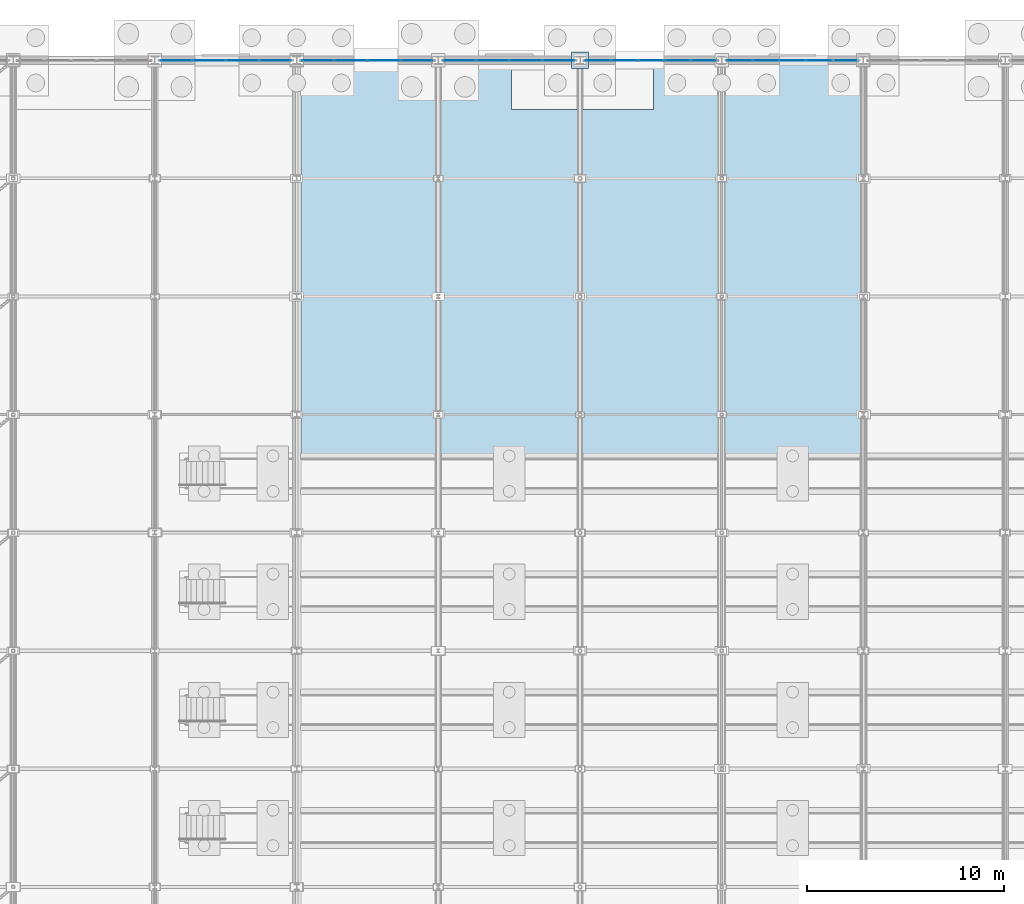
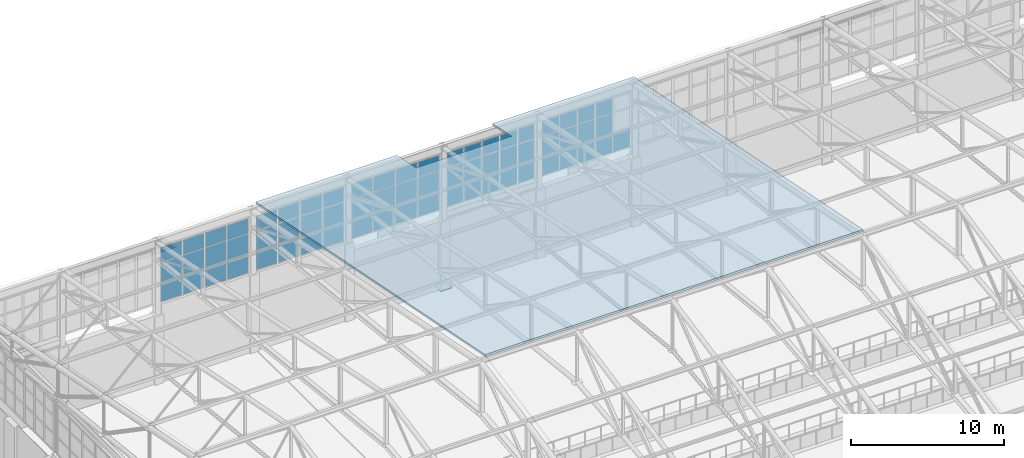
# One storey, part 250 of 293: 65 plates, 1 slab, 5 elements without a shape of their own.
"""IFC4 building model written with IfcOpenShell, lengths in metres."""

from ifc_helpers import new_model, si_unit, direction, frame, origin, origin_2d, place, context, subcontext, project, spatial, polyline, rectangle, outline, extrude, material, layer, layer_set, type_object, element, aggregate, save


model = new_model("IFC4")

# Units and contexts
model_context = context("Model", 3, precision=1e-05, world=origin(), true_north=direction((0.0, 1.0)))
body_context = subcontext(model_context, "Body", "Model", "MODEL_VIEW")
ifc_project = project(units=[si_unit("LENGTHUNIT", "METRE"), si_unit("AREAUNIT", "SQUARE_METRE"), si_unit("VOLUMEUNIT", "CUBIC_METRE"), si_unit("PLANEANGLEUNIT", "RADIAN"), si_unit("MASSUNIT", "GRAM", prefix="KILO")], contexts=[model_context])

# Site, building, storey
site_placement = place(None, origin())
site = spatial("IfcSite", under=ifc_project, at=site_placement, CompositionType="ELEMENT")
building_placement = place(site_placement, origin())
building = spatial("IfcBuilding", under=site, at=building_placement, Name="Kemerveld Promenade Tramway Depot", CompositionType="ELEMENT")
storey_placement = place(building_placement, origin())
storey = spatial("IfcBuildingStorey", under=building, at=storey_placement, Name="L00", CompositionType="ELEMENT", Elevation=0.0)

# Curtain wall, plates
ifc_material_1 = material(Name="Bronze anodised aluminium and solar glass", Category="aluminium")
ifc_layer_1 = layer(ifc_material_1, 0.159912109375)
ifc_layer_set_1 = layer_set([ifc_layer_1], Name="CW-SYS-03")
curtain_wall_type_1 = type_object("IfcCurtainWallType", Name="CW-SYS-03", PredefinedType="USERDEFINED", material=ifc_layer_set_1)
curtain_wall_1_placement = place(storey_placement, origin())
curtain_wall_1 = element("IfcCurtainWall", 1, at=curtain_wall_1_placement, inside=storey, type_object=curtain_wall_type_1, Name="CW-V1-N-03", ObjectType="GLAZED_CURTAIN_WALL", PredefinedType="USERDEFINED")
ifc_material_2 = material(Name="Solar-control laminated double glazing", Category="glass")
ifc_layer_2 = layer(ifc_material_2, 0.028076171875)
ifc_layer_set_2 = layer_set([ifc_layer_2], Name="CW-PNL-03")
plate_type_1 = type_object("IfcPlateType", Name="CW-PNL-03", PredefinedType="CURTAIN_PANEL", material=ifc_layer_set_2)
plate_1_placement = place(storey_placement, frame((51.483642578125, 144.0, 6.259765625), z_axis=(0.0, 0.0, 1.0), x_axis=(1.0, 0.0, 0.0)))
plate_1 = element("IfcPlate", 2, at=plate_1_placement, type_object=plate_type_1, Name="CW03 panel 1.1", PredefinedType="CURTAIN_PANEL", context=body_context, shape_type="SweptSolid", body=[
    extrude(rectangle(XDim=1.5908203125, YDim=0.028076171875, at=origin_2d()), origin(), (0.0, 0.0, 1.0), 1.468017578125),
])
plate_2_placement = place(storey_placement, frame((51.483642578125, 144.0, 7.7880859375), z_axis=(0.0, 0.0, 1.0), x_axis=(1.0, 0.0, 0.0)))
plate_2 = element("IfcPlate", 3, at=plate_2_placement, type_object=plate_type_1, Name="CW03 panel 1.2", PredefinedType="CURTAIN_PANEL", context=body_context, shape_type="SweptSolid", body=[
    extrude(rectangle(XDim=1.5908203125, YDim=0.028076171875, at=origin_2d()), origin(), (0.0, 0.0, 1.0), 1.5859375),
])
plate_3_placement = place(storey_placement, frame((51.483642578125, 144.0, 9.43408203125), z_axis=(0.0, 0.0, 1.0), x_axis=(1.0, 0.0, 0.0)))
plate_3 = element("IfcPlate", 4, at=plate_3_placement, type_object=plate_type_1, Name="CW03 panel 1.3", PredefinedType="CURTAIN_PANEL", context=body_context, shape_type="SweptSolid", body=[
    extrude(rectangle(XDim=1.5908203125, YDim=0.028076171875, at=origin_2d()), origin(), (0.0, 0.0, 1.0), 1.156005859375),
])
plate_4_placement = place(storey_placement, frame((53.15576171875, 144.0, 6.259765625), z_axis=(0.0, 0.0, 1.0), x_axis=(1.0, 0.0, 0.0)))
plate_4 = element("IfcPlate", 5, at=plate_4_placement, type_object=plate_type_1, Name="CW03 panel 2.1", PredefinedType="CURTAIN_PANEL", context=body_context, shape_type="SweptSolid", body=[
    extrude(rectangle(XDim=1.623291015625, YDim=0.028076171875, at=origin_2d()), origin(), (0.0, 0.0, 1.0), 1.468017578125),
])
plate_5_placement = place(storey_placement, frame((53.15576171875, 144.0, 7.7880859375), z_axis=(0.0, 0.0, 1.0), x_axis=(1.0, 0.0, 0.0)))
plate_5 = element("IfcPlate", 6, at=plate_5_placement, type_object=plate_type_1, Name="CW03 panel 2.2", PredefinedType="CURTAIN_PANEL", context=body_context, shape_type="SweptSolid", body=[
    extrude(rectangle(XDim=1.623291015625, YDim=0.028076171875, at=origin_2d()), origin(), (0.0, 0.0, 1.0), 1.5859375),
])
plate_6_placement = place(storey_placement, frame((53.15576171875, 144.0, 9.43408203125), z_axis=(0.0, 0.0, 1.0), x_axis=(1.0, 0.0, 0.0)))
plate_6 = element("IfcPlate", 7, at=plate_6_placement, type_object=plate_type_1, Name="CW03 panel 2.3", PredefinedType="CURTAIN_PANEL", context=body_context, shape_type="SweptSolid", body=[
    extrude(rectangle(XDim=1.623291015625, YDim=0.028076171875, at=origin_2d()), origin(), (0.0, 0.0, 1.0), 1.156005859375),
])
plate_7_placement = place(storey_placement, frame((54.84423828125, 144.0, 6.259765625), z_axis=(0.0, 0.0, 1.0), x_axis=(1.0, 0.0, 0.0)))
plate_7 = element("IfcPlate", 8, at=plate_7_placement, type_object=plate_type_1, Name="CW03 panel 3.1", PredefinedType="CURTAIN_PANEL", context=body_context, shape_type="SweptSolid", body=[
    extrude(rectangle(XDim=1.623291015625, YDim=0.028076171875, at=origin_2d()), origin(), (0.0, 0.0, 1.0), 1.468017578125),
])
plate_8_placement = place(storey_placement, frame((54.84423828125, 144.0, 7.7880859375), z_axis=(0.0, 0.0, 1.0), x_axis=(1.0, 0.0, 0.0)))
plate_8 = element("IfcPlate", 9, at=plate_8_placement, type_object=plate_type_1, Name="CW03 panel 3.2", PredefinedType="CURTAIN_PANEL", context=body_context, shape_type="SweptSolid", body=[
    extrude(rectangle(XDim=1.623291015625, YDim=0.028076171875, at=origin_2d()), origin(), (0.0, 0.0, 1.0), 1.5859375),
])
plate_9_placement = place(storey_placement, frame((54.84423828125, 144.0, 9.43408203125), z_axis=(0.0, 0.0, 1.0), x_axis=(1.0, 0.0, 0.0)))
plate_9 = element("IfcPlate", 10, at=plate_9_placement, type_object=plate_type_1, Name="CW03 panel 3.3", PredefinedType="CURTAIN_PANEL", context=body_context, shape_type="SweptSolid", body=[
    extrude(rectangle(XDim=1.623291015625, YDim=0.028076171875, at=origin_2d()), origin(), (0.0, 0.0, 1.0), 1.156005859375),
])
plate_10_placement = place(storey_placement, frame((56.516357421875, 144.0, 6.259765625), z_axis=(0.0, 0.0, 1.0), x_axis=(1.0, 0.0, 0.0)))
plate_10 = element("IfcPlate", 11, at=plate_10_placement, type_object=plate_type_1, Name="CW03 panel 4.1", PredefinedType="CURTAIN_PANEL", context=body_context, shape_type="SweptSolid", body=[
    extrude(rectangle(XDim=1.5908203125, YDim=0.028076171875, at=origin_2d()), origin(), (0.0, 0.0, 1.0), 1.468017578125),
])
plate_11_placement = place(storey_placement, frame((56.516357421875, 144.0, 7.7880859375), z_axis=(0.0, 0.0, 1.0), x_axis=(1.0, 0.0, 0.0)))
plate_11 = element("IfcPlate", 12, at=plate_11_placement, type_object=plate_type_1, Name="CW03 panel 4.2", PredefinedType="CURTAIN_PANEL", context=body_context, shape_type="SweptSolid", body=[
    extrude(rectangle(XDim=1.5908203125, YDim=0.028076171875, at=origin_2d()), origin(), (0.0, 0.0, 1.0), 1.5859375),
])
plate_12_placement = place(storey_placement, frame((56.516357421875, 144.0, 9.43408203125), z_axis=(0.0, 0.0, 1.0), x_axis=(1.0, 0.0, 0.0)))
plate_12 = element("IfcPlate", 13, at=plate_12_placement, type_object=plate_type_1, Name="CW03 panel 4.3", PredefinedType="CURTAIN_PANEL", context=body_context, shape_type="SweptSolid", body=[
    extrude(rectangle(XDim=1.5908203125, YDim=0.028076171875, at=origin_2d()), origin(), (0.0, 0.0, 1.0), 1.156005859375),
])
aggregate(curtain_wall_1, [plate_1, plate_2, plate_3, plate_4, plate_5, plate_6, plate_7, plate_8, plate_9, plate_10, plate_11, plate_12])

ifc_layer_3 = layer(ifc_material_1, 0.199951171875)
ifc_layer_set_3 = layer_set([ifc_layer_3], Name="CW-SYS-04")
curtain_wall_type_2 = type_object("IfcCurtainWallType", Name="CW-SYS-04", PredefinedType="USERDEFINED", material=ifc_layer_set_3)
curtain_wall_2_placement = place(storey_placement, origin())
curtain_wall_2 = element("IfcCurtainWall", 14, at=curtain_wall_2_placement, inside=storey, type_object=curtain_wall_type_2, Name="CW-V1-N-04", ObjectType="GLAZED_CURTAIN_WALL", PredefinedType="USERDEFINED")
ifc_layer_4 = layer(ifc_material_2, 0.031982421875)
ifc_layer_set_4 = layer_set([ifc_layer_4], Name="CW-PNL-04")
plate_type_2 = type_object("IfcPlateType", Name="CW-PNL-04", PredefinedType="CURTAIN_PANEL", material=ifc_layer_set_4)
plate_13_placement = place(storey_placement, frame((58.68603515625, 144.0, 6.26513671875), z_axis=(0.0, 0.0, 1.0), x_axis=(1.0, 0.0, 0.0)))
plate_13 = element("IfcPlate", 15, at=plate_13_placement, type_object=plate_type_2, Name="CW04 panel 1.1", PredefinedType="CURTAIN_PANEL", context=body_context, shape_type="SweptSolid", body=[
    extrude(rectangle(XDim=1.575927734375, YDim=0.031982421875, at=origin_2d()), origin(), (0.0, 0.0, 1.0), 1.46044921875),
])
plate_14_placement = place(storey_placement, frame((58.68603515625, 144.0, 7.79052734375), z_axis=(0.0, 0.0, 1.0), x_axis=(1.0, 0.0, 0.0)))
plate_14 = element("IfcPlate", 16, at=plate_14_placement, type_object=plate_type_2, Name="CW04 panel 1.2", PredefinedType="CURTAIN_PANEL", context=body_context, shape_type="SweptSolid", body=[
    extrude(rectangle(XDim=1.575927734375, YDim=0.031982421875, at=origin_2d()), origin(), (0.0, 0.0, 1.0), 1.5810546875),
])
plate_15_placement = place(storey_placement, frame((58.68603515625, 144.0, 9.4365234375), z_axis=(0.0, 0.0, 1.0), x_axis=(1.0, 0.0, 0.0)))
plate_15 = element("IfcPlate", 17, at=plate_15_placement, type_object=plate_type_2, Name="CW04 panel 1.3", PredefinedType="CURTAIN_PANEL", context=body_context, shape_type="SweptSolid", body=[
    extrude(rectangle(XDim=1.575927734375, YDim=0.031982421875, at=origin_2d()), origin(), (0.0, 0.0, 1.0), 1.1484375),
])
plate_16_placement = place(storey_placement, frame((60.355712890625, 144.0, 6.26513671875), z_axis=(0.0, 0.0, 1.0), x_axis=(1.0, 0.0, 0.0)))
plate_16 = element("IfcPlate", 18, at=plate_16_placement, type_object=plate_type_2, Name="CW04 panel 2.1", PredefinedType="CURTAIN_PANEL", context=body_context, shape_type="SweptSolid", body=[
    extrude(rectangle(XDim=1.61328125, YDim=0.031982421875, at=origin_2d()), origin(), (0.0, 0.0, 1.0), 1.46044921875),
])
plate_17_placement = place(storey_placement, frame((60.355712890625, 144.0, 7.79052734375), z_axis=(0.0, 0.0, 1.0), x_axis=(1.0, 0.0, 0.0)))
plate_17 = element("IfcPlate", 19, at=plate_17_placement, type_object=plate_type_2, Name="CW04 panel 2.2", PredefinedType="CURTAIN_PANEL", context=body_context, shape_type="SweptSolid", body=[
    extrude(rectangle(XDim=1.61328125, YDim=0.031982421875, at=origin_2d()), origin(), (0.0, 0.0, 1.0), 1.5810546875),
])
plate_18_placement = place(storey_placement, frame((60.355712890625, 144.0, 9.4365234375), z_axis=(0.0, 0.0, 1.0), x_axis=(1.0, 0.0, 0.0)))
plate_18 = element("IfcPlate", 20, at=plate_18_placement, type_object=plate_type_2, Name="CW04 panel 2.3", PredefinedType="CURTAIN_PANEL", context=body_context, shape_type="SweptSolid", body=[
    extrude(rectangle(XDim=1.61328125, YDim=0.031982421875, at=origin_2d()), origin(), (0.0, 0.0, 1.0), 1.1484375),
])
plate_19_placement = place(storey_placement, frame((62.044189453125, 144.0, 6.26513671875), z_axis=(0.0, 0.0, 1.0), x_axis=(1.0, 0.0, 0.0)))
plate_19 = element("IfcPlate", 21, at=plate_19_placement, type_object=plate_type_2, Name="CW04 panel 3.1", PredefinedType="CURTAIN_PANEL", context=body_context, shape_type="SweptSolid", body=[
    extrude(rectangle(XDim=1.61328125, YDim=0.031982421875, at=origin_2d()), origin(), (0.0, 0.0, 1.0), 1.46044921875),
])
plate_20_placement = place(storey_placement, frame((62.044189453125, 144.0, 7.79052734375), z_axis=(0.0, 0.0, 1.0), x_axis=(1.0, 0.0, 0.0)))
plate_20 = element("IfcPlate", 22, at=plate_20_placement, type_object=plate_type_2, Name="CW04 panel 3.2", PredefinedType="CURTAIN_PANEL", context=body_context, shape_type="SweptSolid", body=[
    extrude(rectangle(XDim=1.61328125, YDim=0.031982421875, at=origin_2d()), origin(), (0.0, 0.0, 1.0), 1.5810546875),
])
plate_21_placement = place(storey_placement, frame((62.044189453125, 144.0, 9.4365234375), z_axis=(0.0, 0.0, 1.0), x_axis=(1.0, 0.0, 0.0)))
plate_21 = element("IfcPlate", 23, at=plate_21_placement, type_object=plate_type_2, Name="CW04 panel 3.3", PredefinedType="CURTAIN_PANEL", context=body_context, shape_type="SweptSolid", body=[
    extrude(rectangle(XDim=1.61328125, YDim=0.031982421875, at=origin_2d()), origin(), (0.0, 0.0, 1.0), 1.1484375),
])
plate_22_placement = place(storey_placement, frame((63.7138671875, 144.0, 6.26513671875), z_axis=(0.0, 0.0, 1.0), x_axis=(1.0, 0.0, 0.0)))
plate_22 = element("IfcPlate", 24, at=plate_22_placement, type_object=plate_type_2, Name="CW04 panel 4.1", PredefinedType="CURTAIN_PANEL", context=body_context, shape_type="SweptSolid", body=[
    extrude(rectangle(XDim=1.575927734375, YDim=0.031982421875, at=origin_2d()), origin(), (0.0, 0.0, 1.0), 1.46044921875),
])
plate_23_placement = place(storey_placement, frame((63.7138671875, 144.0, 7.79052734375), z_axis=(0.0, 0.0, 1.0), x_axis=(1.0, 0.0, 0.0)))
plate_23 = element("IfcPlate", 25, at=plate_23_placement, type_object=plate_type_2, Name="CW04 panel 4.2", PredefinedType="CURTAIN_PANEL", context=body_context, shape_type="SweptSolid", body=[
    extrude(rectangle(XDim=1.575927734375, YDim=0.031982421875, at=origin_2d()), origin(), (0.0, 0.0, 1.0), 1.5810546875),
])
plate_24_placement = place(storey_placement, frame((63.7138671875, 144.0, 9.4365234375), z_axis=(0.0, 0.0, 1.0), x_axis=(1.0, 0.0, 0.0)))
plate_24 = element("IfcPlate", 26, at=plate_24_placement, type_object=plate_type_2, Name="CW04 panel 4.3", PredefinedType="CURTAIN_PANEL", context=body_context, shape_type="SweptSolid", body=[
    extrude(rectangle(XDim=1.575927734375, YDim=0.031982421875, at=origin_2d()), origin(), (0.0, 0.0, 1.0), 1.1484375),
])
aggregate(curtain_wall_2, [plate_13, plate_14, plate_15, plate_16, plate_17, plate_18, plate_19, plate_20, plate_21, plate_22, plate_23, plate_24])

ifc_layer_5 = layer(ifc_material_1, 0.159912109375)
ifc_layer_set_5 = layer_set([ifc_layer_5], Name="CW-SYS-05")
curtain_wall_type_3 = type_object("IfcCurtainWallType", Name="CW-SYS-05", PredefinedType="USERDEFINED", material=ifc_layer_set_5)
curtain_wall_3_placement = place(storey_placement, origin())
curtain_wall_3 = element("IfcCurtainWall", 27, at=curtain_wall_3_placement, inside=storey, type_object=curtain_wall_type_3, Name="CW-V1-N-05", ObjectType="GLAZED_CURTAIN_WALL", PredefinedType="USERDEFINED")
ifc_layer_6 = layer(ifc_material_2, 0.031982421875)
ifc_layer_set_6 = layer_set([ifc_layer_6], Name="CW-PNL-05")
plate_type_3 = type_object("IfcPlateType", Name="CW-PNL-05", PredefinedType="CURTAIN_PANEL", material=ifc_layer_set_6)
plate_25_placement = place(storey_placement, frame((65.883544921875, 144.0, 6.259765625), z_axis=(0.0, 0.0, 1.0), x_axis=(1.0, 0.0, 0.0)))
plate_25 = element("IfcPlate", 28, at=plate_25_placement, type_object=plate_type_3, Name="CW05 panel 1.1", PredefinedType="CURTAIN_PANEL", context=body_context, shape_type="SweptSolid", body=[
    extrude(rectangle(XDim=1.5908203125, YDim=0.031982421875, at=origin_2d()), origin(), (0.0, 0.0, 1.0), 1.468017578125),
])
plate_26_placement = place(storey_placement, frame((65.883544921875, 144.0, 7.7880859375), z_axis=(0.0, 0.0, 1.0), x_axis=(1.0, 0.0, 0.0)))
plate_26 = element("IfcPlate", 29, at=plate_26_placement, type_object=plate_type_3, Name="CW05 panel 1.2", PredefinedType="CURTAIN_PANEL", context=body_context, shape_type="SweptSolid", body=[
    extrude(rectangle(XDim=1.5908203125, YDim=0.031982421875, at=origin_2d()), origin(), (0.0, 0.0, 1.0), 1.5859375),
])
plate_27_placement = place(storey_placement, frame((65.883544921875, 144.0, 9.43408203125), z_axis=(0.0, 0.0, 1.0), x_axis=(1.0, 0.0, 0.0)))
plate_27 = element("IfcPlate", 30, at=plate_27_placement, type_object=plate_type_3, Name="CW05 panel 1.3", PredefinedType="CURTAIN_PANEL", context=body_context, shape_type="SweptSolid", body=[
    extrude(rectangle(XDim=1.5908203125, YDim=0.031982421875, at=origin_2d()), origin(), (0.0, 0.0, 1.0), 1.156005859375),
])
plate_28_placement = place(storey_placement, frame((67.555908203125, 144.0, 6.259765625), z_axis=(0.0, 0.0, 1.0), x_axis=(1.0, 0.0, 0.0)))
plate_28 = element("IfcPlate", 31, at=plate_28_placement, type_object=plate_type_3, Name="CW05 panel 2.1", PredefinedType="CURTAIN_PANEL", context=body_context, shape_type="SweptSolid", body=[
    extrude(rectangle(XDim=1.623291015625, YDim=0.031982421875, at=origin_2d()), origin(), (0.0, 0.0, 1.0), 1.468017578125),
])
plate_29_placement = place(storey_placement, frame((67.555908203125, 144.0, 7.7880859375), z_axis=(0.0, 0.0, 1.0), x_axis=(1.0, 0.0, 0.0)))
plate_29 = element("IfcPlate", 32, at=plate_29_placement, type_object=plate_type_3, Name="CW05 panel 2.2", PredefinedType="CURTAIN_PANEL", context=body_context, shape_type="SweptSolid", body=[
    extrude(rectangle(XDim=1.623291015625, YDim=0.031982421875, at=origin_2d()), origin(), (0.0, 0.0, 1.0), 1.5859375),
])
plate_30_placement = place(storey_placement, frame((67.555908203125, 144.0, 9.43408203125), z_axis=(0.0, 0.0, 1.0), x_axis=(1.0, 0.0, 0.0)))
plate_30 = element("IfcPlate", 33, at=plate_30_placement, type_object=plate_type_3, Name="CW05 panel 2.3", PredefinedType="CURTAIN_PANEL", context=body_context, shape_type="SweptSolid", body=[
    extrude(rectangle(XDim=1.623291015625, YDim=0.031982421875, at=origin_2d()), origin(), (0.0, 0.0, 1.0), 1.156005859375),
])
plate_31_placement = place(storey_placement, frame((69.244140625, 144.0, 6.259765625), z_axis=(0.0, 0.0, 1.0), x_axis=(1.0, 0.0, 0.0)))
plate_31 = element("IfcPlate", 34, at=plate_31_placement, type_object=plate_type_3, Name="CW05 panel 3.1", PredefinedType="CURTAIN_PANEL", context=body_context, shape_type="SweptSolid", body=[
    extrude(rectangle(XDim=1.623291015625, YDim=0.031982421875, at=origin_2d()), origin(), (0.0, 0.0, 1.0), 1.468017578125),
])
plate_32_placement = place(storey_placement, frame((69.244140625, 144.0, 7.7880859375), z_axis=(0.0, 0.0, 1.0), x_axis=(1.0, 0.0, 0.0)))
plate_32 = element("IfcPlate", 35, at=plate_32_placement, type_object=plate_type_3, Name="CW05 panel 3.2", PredefinedType="CURTAIN_PANEL", context=body_context, shape_type="SweptSolid", body=[
    extrude(rectangle(XDim=1.623291015625, YDim=0.031982421875, at=origin_2d()), origin(), (0.0, 0.0, 1.0), 1.5859375),
])
plate_33_placement = place(storey_placement, frame((69.244140625, 144.0, 9.43408203125), z_axis=(0.0, 0.0, 1.0), x_axis=(1.0, 0.0, 0.0)))
plate_33 = element("IfcPlate", 36, at=plate_33_placement, type_object=plate_type_3, Name="CW05 panel 3.3", PredefinedType="CURTAIN_PANEL", context=body_context, shape_type="SweptSolid", body=[
    extrude(rectangle(XDim=1.623291015625, YDim=0.031982421875, at=origin_2d()), origin(), (0.0, 0.0, 1.0), 1.156005859375),
])
plate_34_placement = place(storey_placement, frame((70.916259765625, 144.0, 6.259765625), z_axis=(0.0, 0.0, 1.0), x_axis=(1.0, 0.0, 0.0)))
plate_34 = element("IfcPlate", 37, at=plate_34_placement, type_object=plate_type_3, Name="CW05 panel 4.1", PredefinedType="CURTAIN_PANEL", context=body_context, shape_type="SweptSolid", body=[
    extrude(rectangle(XDim=1.5908203125, YDim=0.031982421875, at=origin_2d()), origin(), (0.0, 0.0, 1.0), 1.468017578125),
])
plate_35_placement = place(storey_placement, frame((70.916259765625, 144.0, 7.7880859375), z_axis=(0.0, 0.0, 1.0), x_axis=(1.0, 0.0, 0.0)))
plate_35 = element("IfcPlate", 38, at=plate_35_placement, type_object=plate_type_3, Name="CW05 panel 4.2", PredefinedType="CURTAIN_PANEL", context=body_context, shape_type="SweptSolid", body=[
    extrude(rectangle(XDim=1.5908203125, YDim=0.031982421875, at=origin_2d()), origin(), (0.0, 0.0, 1.0), 1.5859375),
])
plate_36_placement = place(storey_placement, frame((70.916259765625, 144.0, 9.43408203125), z_axis=(0.0, 0.0, 1.0), x_axis=(1.0, 0.0, 0.0)))
plate_36 = element("IfcPlate", 39, at=plate_36_placement, type_object=plate_type_3, Name="CW05 panel 4.3", PredefinedType="CURTAIN_PANEL", context=body_context, shape_type="SweptSolid", body=[
    extrude(rectangle(XDim=1.5908203125, YDim=0.031982421875, at=origin_2d()), origin(), (0.0, 0.0, 1.0), 1.156005859375),
])
aggregate(curtain_wall_3, [plate_25, plate_26, plate_27, plate_28, plate_29, plate_30, plate_31, plate_32, plate_33, plate_34, plate_35, plate_36])

ifc_layer_7 = layer(ifc_material_1, 0.199951171875)
ifc_layer_set_7 = layer_set([ifc_layer_7], Name="CW-SYS-06")
curtain_wall_type_4 = type_object("IfcCurtainWallType", Name="CW-SYS-06", PredefinedType="USERDEFINED", material=ifc_layer_set_7)
curtain_wall_4_placement = place(storey_placement, origin())
curtain_wall_4 = element("IfcCurtainWall", 40, at=curtain_wall_4_placement, inside=storey, type_object=curtain_wall_type_4, Name="CW-V1-N-06", ObjectType="GLAZED_CURTAIN_WALL", PredefinedType="USERDEFINED")
ifc_layer_8 = layer(ifc_material_2, 0.02587890625)
ifc_layer_set_8 = layer_set([ifc_layer_8], Name="CW-PNL-06")
plate_type_4 = type_object("IfcPlateType", Name="CW-PNL-06", PredefinedType="CURTAIN_PANEL", material=ifc_layer_set_8)
plate_37_placement = place(storey_placement, frame((72.917236328125, 144.0, 6.26513671875), z_axis=(0.0, 0.0, 1.0), x_axis=(1.0, 0.0, 0.0)))
plate_37 = element("IfcPlate", 41, at=plate_37_placement, type_object=plate_type_4, Name="CW06 panel 1.1", PredefinedType="CURTAIN_PANEL", context=body_context, shape_type="SweptSolid", body=[
    extrude(rectangle(XDim=1.23828125, YDim=0.02587890625, at=origin_2d()), origin(), (0.0, 0.0, 1.0), 1.46044921875),
])
plate_38_placement = place(storey_placement, frame((72.917236328125, 144.0, 7.79052734375), z_axis=(0.0, 0.0, 1.0), x_axis=(1.0, 0.0, 0.0)))
plate_38 = element("IfcPlate", 42, at=plate_38_placement, type_object=plate_type_4, Name="CW06 panel 1.2", PredefinedType="CURTAIN_PANEL", context=body_context, shape_type="SweptSolid", body=[
    extrude(rectangle(XDim=1.23828125, YDim=0.02587890625, at=origin_2d()), origin(), (0.0, 0.0, 1.0), 1.5810546875),
])
plate_39_placement = place(storey_placement, frame((72.917236328125, 144.0, 9.4365234375), z_axis=(0.0, 0.0, 1.0), x_axis=(1.0, 0.0, 0.0)))
plate_39 = element("IfcPlate", 43, at=plate_39_placement, type_object=plate_type_4, Name="CW06 panel 1.3", PredefinedType="CURTAIN_PANEL", context=body_context, shape_type="SweptSolid", body=[
    extrude(rectangle(XDim=1.23828125, YDim=0.02587890625, at=origin_2d()), origin(), (0.0, 0.0, 1.0), 1.1484375),
])
plate_40_placement = place(storey_placement, frame((74.249267578125, 144.0, 6.26513671875), z_axis=(0.0, 0.0, 1.0), x_axis=(1.0, 0.0, 0.0)))
plate_40 = element("IfcPlate", 44, at=plate_40_placement, type_object=plate_type_4, Name="CW06 panel 2.1", PredefinedType="CURTAIN_PANEL", context=body_context, shape_type="SweptSolid", body=[
    extrude(rectangle(XDim=1.275634765625, YDim=0.02587890625, at=origin_2d()), origin(), (0.0, 0.0, 1.0), 1.46044921875),
])
plate_41_placement = place(storey_placement, frame((74.249267578125, 144.0, 7.79052734375), z_axis=(0.0, 0.0, 1.0), x_axis=(1.0, 0.0, 0.0)))
plate_41 = element("IfcPlate", 45, at=plate_41_placement, type_object=plate_type_4, Name="CW06 panel 2.2", PredefinedType="CURTAIN_PANEL", context=body_context, shape_type="SweptSolid", body=[
    extrude(rectangle(XDim=1.275634765625, YDim=0.02587890625, at=origin_2d()), origin(), (0.0, 0.0, 1.0), 1.5810546875),
])
plate_42_placement = place(storey_placement, frame((74.249267578125, 144.0, 9.4365234375), z_axis=(0.0, 0.0, 1.0), x_axis=(1.0, 0.0, 0.0)))
plate_42 = element("IfcPlate", 46, at=plate_42_placement, type_object=plate_type_4, Name="CW06 panel 2.3", PredefinedType="CURTAIN_PANEL", context=body_context, shape_type="SweptSolid", body=[
    extrude(rectangle(XDim=1.275634765625, YDim=0.02587890625, at=origin_2d()), origin(), (0.0, 0.0, 1.0), 1.1484375),
])
plate_43_placement = place(storey_placement, frame((75.60009765625, 144.0, 6.26513671875), z_axis=(0.0, 0.0, 1.0), x_axis=(1.0, 0.0, 0.0)))
plate_43 = element("IfcPlate", 47, at=plate_43_placement, type_object=plate_type_4, Name="CW06 panel 3.1", PredefinedType="CURTAIN_PANEL", context=body_context, shape_type="SweptSolid", body=[
    extrude(rectangle(XDim=1.275634765625, YDim=0.02587890625, at=origin_2d()), origin(), (0.0, 0.0, 1.0), 1.46044921875),
])
plate_44_placement = place(storey_placement, frame((75.60009765625, 144.0, 7.79052734375), z_axis=(0.0, 0.0, 1.0), x_axis=(1.0, 0.0, 0.0)))
plate_44 = element("IfcPlate", 48, at=plate_44_placement, type_object=plate_type_4, Name="CW06 panel 3.2", PredefinedType="CURTAIN_PANEL", context=body_context, shape_type="SweptSolid", body=[
    extrude(rectangle(XDim=1.275634765625, YDim=0.02587890625, at=origin_2d()), origin(), (0.0, 0.0, 1.0), 1.5810546875),
])
plate_45_placement = place(storey_placement, frame((75.60009765625, 144.0, 9.4365234375), z_axis=(0.0, 0.0, 1.0), x_axis=(1.0, 0.0, 0.0)))
plate_45 = element("IfcPlate", 49, at=plate_45_placement, type_object=plate_type_4, Name="CW06 panel 3.3", PredefinedType="CURTAIN_PANEL", context=body_context, shape_type="SweptSolid", body=[
    extrude(rectangle(XDim=1.275634765625, YDim=0.02587890625, at=origin_2d()), origin(), (0.0, 0.0, 1.0), 1.1484375),
])
plate_46_placement = place(storey_placement, frame((76.95068359375, 144.0, 6.26513671875), z_axis=(0.0, 0.0, 1.0), x_axis=(1.0, 0.0, 0.0)))
plate_46 = element("IfcPlate", 50, at=plate_46_placement, type_object=plate_type_4, Name="CW06 panel 4.1", PredefinedType="CURTAIN_PANEL", context=body_context, shape_type="SweptSolid", body=[
    extrude(rectangle(XDim=1.275634765625, YDim=0.02587890625, at=origin_2d()), origin(), (0.0, 0.0, 1.0), 1.46044921875),
])
plate_47_placement = place(storey_placement, frame((76.95068359375, 144.0, 7.79052734375), z_axis=(0.0, 0.0, 1.0), x_axis=(1.0, 0.0, 0.0)))
plate_47 = element("IfcPlate", 51, at=plate_47_placement, type_object=plate_type_4, Name="CW06 panel 4.2", PredefinedType="CURTAIN_PANEL", context=body_context, shape_type="SweptSolid", body=[
    extrude(rectangle(XDim=1.275634765625, YDim=0.02587890625, at=origin_2d()), origin(), (0.0, 0.0, 1.0), 1.5810546875),
])
plate_48_placement = place(storey_placement, frame((76.95068359375, 144.0, 9.4365234375), z_axis=(0.0, 0.0, 1.0), x_axis=(1.0, 0.0, 0.0)))
plate_48 = element("IfcPlate", 52, at=plate_48_placement, type_object=plate_type_4, Name="CW06 panel 4.3", PredefinedType="CURTAIN_PANEL", context=body_context, shape_type="SweptSolid", body=[
    extrude(rectangle(XDim=1.275634765625, YDim=0.02587890625, at=origin_2d()), origin(), (0.0, 0.0, 1.0), 1.1484375),
])
plate_49_placement = place(storey_placement, frame((78.28271484375, 144.0, 6.26513671875), z_axis=(0.0, 0.0, 1.0), x_axis=(1.0, 0.0, 0.0)))
plate_49 = element("IfcPlate", 53, at=plate_49_placement, type_object=plate_type_4, Name="CW06 panel 5.1", PredefinedType="CURTAIN_PANEL", context=body_context, shape_type="SweptSolid", body=[
    extrude(rectangle(XDim=1.23828125, YDim=0.02587890625, at=origin_2d()), origin(), (0.0, 0.0, 1.0), 1.46044921875),
])
plate_50_placement = place(storey_placement, frame((78.28271484375, 144.0, 7.79052734375), z_axis=(0.0, 0.0, 1.0), x_axis=(1.0, 0.0, 0.0)))
plate_50 = element("IfcPlate", 54, at=plate_50_placement, type_object=plate_type_4, Name="CW06 panel 5.2", PredefinedType="CURTAIN_PANEL", context=body_context, shape_type="SweptSolid", body=[
    extrude(rectangle(XDim=1.23828125, YDim=0.02587890625, at=origin_2d()), origin(), (0.0, 0.0, 1.0), 1.5810546875),
])
plate_51_placement = place(storey_placement, frame((78.28271484375, 144.0, 9.4365234375), z_axis=(0.0, 0.0, 1.0), x_axis=(1.0, 0.0, 0.0)))
plate_51 = element("IfcPlate", 55, at=plate_51_placement, type_object=plate_type_4, Name="CW06 panel 5.3", PredefinedType="CURTAIN_PANEL", context=body_context, shape_type="SweptSolid", body=[
    extrude(rectangle(XDim=1.23828125, YDim=0.02587890625, at=origin_2d()), origin(), (0.0, 0.0, 1.0), 1.1484375),
])
aggregate(curtain_wall_4, [plate_37, plate_38, plate_39, plate_40, plate_41, plate_42, plate_43, plate_44, plate_45, plate_46, plate_47, plate_48, plate_49, plate_50, plate_51])

ifc_layer_9 = layer(ifc_material_1, 0.159912109375)
ifc_layer_set_9 = layer_set([ifc_layer_9], Name="CW-SYS-07")
curtain_wall_type_5 = type_object("IfcCurtainWallType", Name="CW-SYS-07", PredefinedType="USERDEFINED", material=ifc_layer_set_9)
curtain_wall_5_placement = place(storey_placement, origin())
curtain_wall_5 = element("IfcCurtainWall", 56, at=curtain_wall_5_placement, inside=storey, type_object=curtain_wall_type_5, Name="CW-V1-N-07", ObjectType="GLAZED_CURTAIN_WALL", PredefinedType="USERDEFINED")
ifc_layer_10 = layer(ifc_material_2, 0.030029296875)
ifc_layer_set_10 = layer_set([ifc_layer_10], Name="CW-PNL-07")
plate_type_5 = type_object("IfcPlateType", Name="CW-PNL-07", PredefinedType="CURTAIN_PANEL", material=ifc_layer_set_10)
plate_52_placement = place(storey_placement, frame((80.11474609375, 144.0, 6.259765625), z_axis=(0.0, 0.0, 1.0), x_axis=(1.0, 0.0, 0.0)))
plate_52 = element("IfcPlate", 57, at=plate_52_placement, type_object=plate_type_5, Name="CW07 panel 1.1", PredefinedType="CURTAIN_PANEL", context=body_context, shape_type="SweptSolid", body=[
    extrude(rectangle(XDim=1.253173828125, YDim=0.030029296875, at=origin_2d()), origin(), (0.0, 0.0, 1.0), 1.468017578125),
])
plate_53_placement = place(storey_placement, frame((80.11474609375, 144.0, 7.7880859375), z_axis=(0.0, 0.0, 1.0), x_axis=(1.0, 0.0, 0.0)))
plate_53 = element("IfcPlate", 58, at=plate_53_placement, type_object=plate_type_5, Name="CW07 panel 1.2", PredefinedType="CURTAIN_PANEL", context=body_context, shape_type="SweptSolid", body=[
    extrude(rectangle(XDim=1.253173828125, YDim=0.030029296875, at=origin_2d()), origin(), (0.0, 0.0, 1.0), 1.5859375),
])
plate_54_placement = place(storey_placement, frame((80.11474609375, 144.0, 9.43408203125), z_axis=(0.0, 0.0, 1.0), x_axis=(1.0, 0.0, 0.0)))
plate_54 = element("IfcPlate", 59, at=plate_54_placement, type_object=plate_type_5, Name="CW07 panel 1.3", PredefinedType="CURTAIN_PANEL", context=body_context, shape_type="SweptSolid", body=[
    extrude(rectangle(XDim=1.253173828125, YDim=0.030029296875, at=origin_2d()), origin(), (0.0, 0.0, 1.0), 1.156005859375),
])
plate_55_placement = place(storey_placement, frame((81.44921875, 144.0, 6.259765625), z_axis=(0.0, 0.0, 1.0), x_axis=(1.0, 0.0, 0.0)))
plate_55 = element("IfcPlate", 60, at=plate_55_placement, type_object=plate_type_5, Name="CW07 panel 2.1", PredefinedType="CURTAIN_PANEL", context=body_context, shape_type="SweptSolid", body=[
    extrude(rectangle(XDim=1.28564453125, YDim=0.030029296875, at=origin_2d()), origin(), (0.0, 0.0, 1.0), 1.468017578125),
])
plate_56_placement = place(storey_placement, frame((81.44921875, 144.0, 7.7880859375), z_axis=(0.0, 0.0, 1.0), x_axis=(1.0, 0.0, 0.0)))
plate_56 = element("IfcPlate", 61, at=plate_56_placement, type_object=plate_type_5, Name="CW07 panel 2.2", PredefinedType="CURTAIN_PANEL", context=body_context, shape_type="SweptSolid", body=[
    extrude(rectangle(XDim=1.28564453125, YDim=0.030029296875, at=origin_2d()), origin(), (0.0, 0.0, 1.0), 1.5859375),
])
plate_57_placement = place(storey_placement, frame((81.44921875, 144.0, 9.43408203125), z_axis=(0.0, 0.0, 1.0), x_axis=(1.0, 0.0, 0.0)))
plate_57 = element("IfcPlate", 62, at=plate_57_placement, type_object=plate_type_5, Name="CW07 panel 2.3", PredefinedType="CURTAIN_PANEL", context=body_context, shape_type="SweptSolid", body=[
    extrude(rectangle(XDim=1.28564453125, YDim=0.030029296875, at=origin_2d()), origin(), (0.0, 0.0, 1.0), 1.156005859375),
])
plate_58_placement = place(storey_placement, frame((82.800048828125, 144.0, 6.259765625), z_axis=(0.0, 0.0, 1.0), x_axis=(1.0, 0.0, 0.0)))
plate_58 = element("IfcPlate", 63, at=plate_58_placement, type_object=plate_type_5, Name="CW07 panel 3.1", PredefinedType="CURTAIN_PANEL", context=body_context, shape_type="SweptSolid", body=[
    extrude(rectangle(XDim=1.28564453125, YDim=0.030029296875, at=origin_2d()), origin(), (0.0, 0.0, 1.0), 1.468017578125),
])
plate_59_placement = place(storey_placement, frame((82.800048828125, 144.0, 7.7880859375), z_axis=(0.0, 0.0, 1.0), x_axis=(1.0, 0.0, 0.0)))
plate_59 = element("IfcPlate", 64, at=plate_59_placement, type_object=plate_type_5, Name="CW07 panel 3.2", PredefinedType="CURTAIN_PANEL", context=body_context, shape_type="SweptSolid", body=[
    extrude(rectangle(XDim=1.28564453125, YDim=0.030029296875, at=origin_2d()), origin(), (0.0, 0.0, 1.0), 1.5859375),
])
plate_60_placement = place(storey_placement, frame((82.800048828125, 144.0, 9.43408203125), z_axis=(0.0, 0.0, 1.0), x_axis=(1.0, 0.0, 0.0)))
plate_60 = element("IfcPlate", 65, at=plate_60_placement, type_object=plate_type_5, Name="CW07 panel 3.3", PredefinedType="CURTAIN_PANEL", context=body_context, shape_type="SweptSolid", body=[
    extrude(rectangle(XDim=1.28564453125, YDim=0.030029296875, at=origin_2d()), origin(), (0.0, 0.0, 1.0), 1.156005859375),
])
plate_61_placement = place(storey_placement, frame((84.150634765625, 144.0, 6.259765625), z_axis=(0.0, 0.0, 1.0), x_axis=(1.0, 0.0, 0.0)))
plate_61 = element("IfcPlate", 66, at=plate_61_placement, type_object=plate_type_5, Name="CW07 panel 4.1", PredefinedType="CURTAIN_PANEL", context=body_context, shape_type="SweptSolid", body=[
    extrude(rectangle(XDim=1.28564453125, YDim=0.030029296875, at=origin_2d()), origin(), (0.0, 0.0, 1.0), 1.468017578125),
])
plate_62_placement = place(storey_placement, frame((84.150634765625, 144.0, 7.7880859375), z_axis=(0.0, 0.0, 1.0), x_axis=(1.0, 0.0, 0.0)))
plate_62 = element("IfcPlate", 67, at=plate_62_placement, type_object=plate_type_5, Name="CW07 panel 4.2", PredefinedType="CURTAIN_PANEL", context=body_context, shape_type="SweptSolid", body=[
    extrude(rectangle(XDim=1.28564453125, YDim=0.030029296875, at=origin_2d()), origin(), (0.0, 0.0, 1.0), 1.5859375),
])
plate_63_placement = place(storey_placement, frame((84.150634765625, 144.0, 9.43408203125), z_axis=(0.0, 0.0, 1.0), x_axis=(1.0, 0.0, 0.0)))
plate_63 = element("IfcPlate", 68, at=plate_63_placement, type_object=plate_type_5, Name="CW07 panel 4.3", PredefinedType="CURTAIN_PANEL", context=body_context, shape_type="SweptSolid", body=[
    extrude(rectangle(XDim=1.28564453125, YDim=0.030029296875, at=origin_2d()), origin(), (0.0, 0.0, 1.0), 1.156005859375),
])
plate_64_placement = place(storey_placement, frame((85.485107421875, 144.0, 6.259765625), z_axis=(0.0, 0.0, 1.0), x_axis=(1.0, 0.0, 0.0)))
plate_64 = element("IfcPlate", 69, at=plate_64_placement, type_object=plate_type_5, Name="CW07 panel 5.1", PredefinedType="CURTAIN_PANEL", context=body_context, shape_type="SweptSolid", body=[
    extrude(rectangle(XDim=1.253173828125, YDim=0.030029296875, at=origin_2d()), origin(), (0.0, 0.0, 1.0), 1.468017578125),
])
aggregate(curtain_wall_5, [plate_52, plate_53, plate_54, plate_55, plate_56, plate_57, plate_58, plate_59, plate_60, plate_61, plate_62, plate_63, plate_64])

# Plate
ifc_material_3 = material(Name="Steel S355", Category="steel")
ifc_layer_11 = layer(ifc_material_3, 0.0400390625)
ifc_layer_set_11 = layer_set([ifc_layer_11], Name="PL-BP02")
plate_type_6 = type_object("IfcPlateType", Name="PL-BP02", PredefinedType="USERDEFINED", material=ifc_layer_set_11)
plate_65_placement = place(storey_placement, frame((72.0, 144.0, 0.0), z_axis=(0.0, 0.0, 1.0), x_axis=(1.0, 0.0, 0.0)))
element("IfcPlate", 70, at=plate_65_placement, inside=storey, type_object=plate_type_6, Name="BP-11-U", ObjectType="BASE_PLATE", PredefinedType="USERDEFINED", context=body_context, shape_type="SweptSolid", body=[
    extrude(rectangle(XDim=0.85009765625, YDim=0.85009765625, at=origin_2d()), origin(), (0.0, 0.0, 1.0), 0.0400390625),
])

# Slab
ifc_material_4 = material(Name="Concrete C35/45", Category="concrete")
ifc_layer_12 = layer(ifc_material_4, 0.159912109375)
ifc_layer_set_12 = layer_set([ifc_layer_12], Name="SL-RF02")
slab_type = type_object("IfcSlabType", Name="SL-RF02", PredefinedType="ROOF", material=ifc_layer_set_12)
slab_placement = place(storey_placement, frame((57.860107421875, 114.0, 17.719970703125), z_axis=(0.0, 0.196116135138, 0.980580675691), x_axis=(1.0, 0.0, 0.0)))
element("IfcSlab", 71, at=slab_placement, inside=storey, type_object=slab_type, Name="SLB-RF-V1N-S2", PredefinedType="ROOF", context=body_context, shape_type="SweptSolid", body=[
    extrude(outline(polyline([(0.0, 0.0), (28.539794921875, 0.0), (28.539794921875, 30.594117081556707), (17.869873046875, 30.594117081556707), (17.869873046875, 28.044607324760314), (10.669921875, 28.044607324760314), (10.669921875, 30.594117081556707), (0.0, 30.594117081556707), (0.0, 0.0)])), origin(), (0.0, 0.0, -1.0), 0.159912109375),
])

save(model, "model.ifc")
